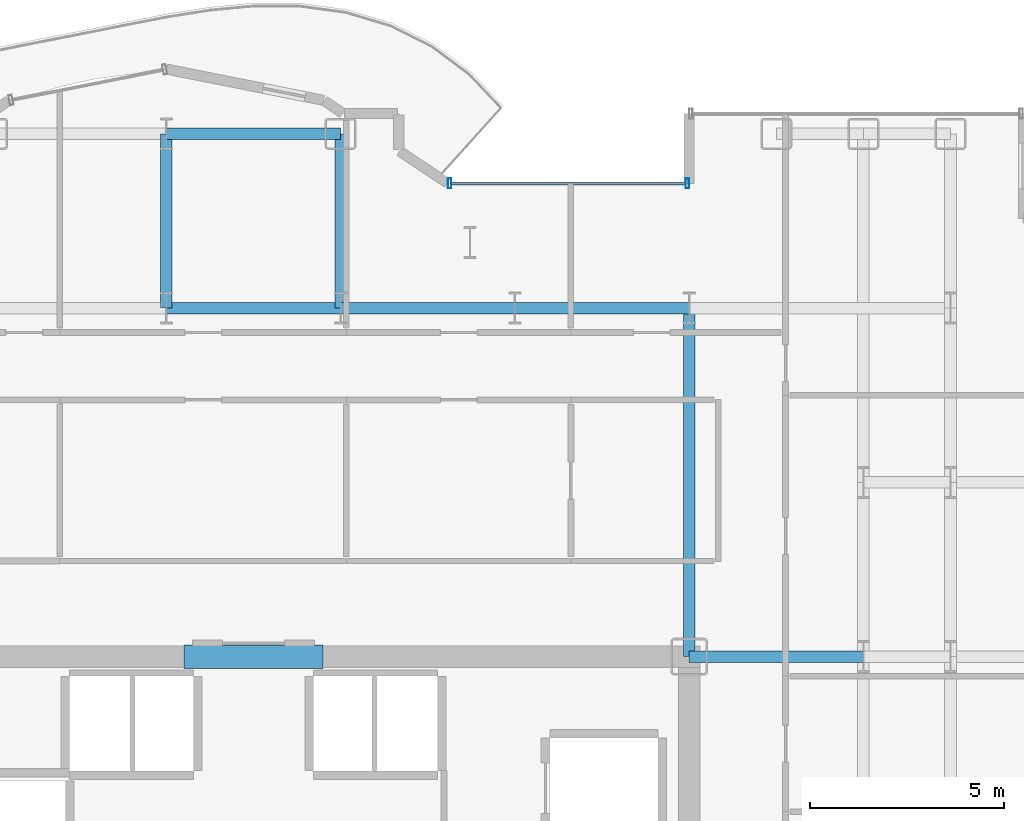
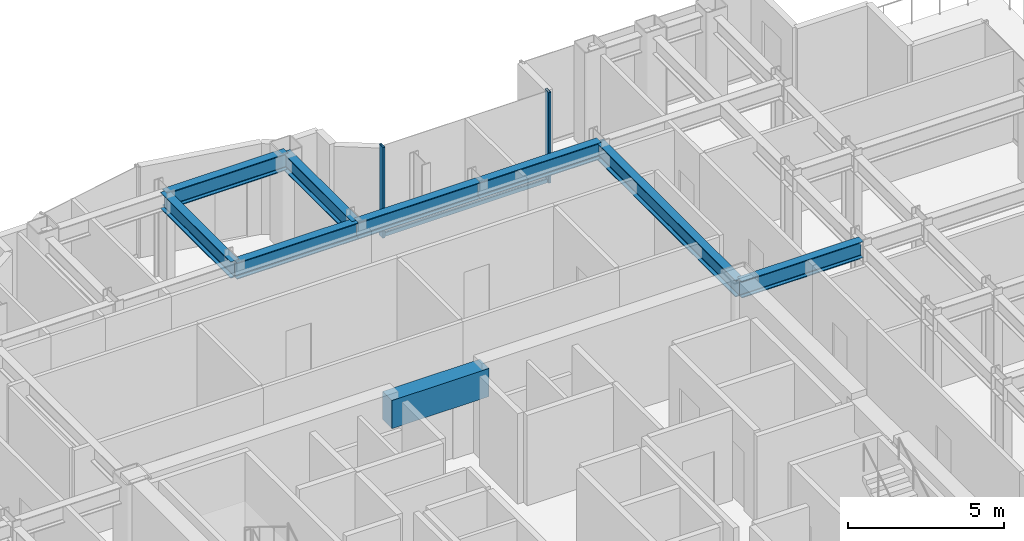
# One storey, part 15 of 27: 9 beams, 3 members, 1 element without a shape of its own.
"""IFC4 building model written with IfcOpenShell, lengths in metres."""

from ifc_helpers import new_model, si_unit, direction, frame, origin, origin_2d, place, context, subcontext, project, spatial, rectangle, hollow_rectangle, i_section, extrude, source, transform, mapped, material, layer, layer_set, material_profile, profile_set, type_object, element, aggregate, save


model = new_model("IFC4")

# Units and contexts
model_context = context("Model", 3, precision=1e-05, world=origin(), true_north=direction((0.0, 1.0)))
body_context = subcontext(model_context, "Body", "Model", "MODEL_VIEW")
ifc_project = project(units=[si_unit("LENGTHUNIT", "METRE"), si_unit("AREAUNIT", "SQUARE_METRE"), si_unit("VOLUMEUNIT", "CUBIC_METRE"), si_unit("PLANEANGLEUNIT", "RADIAN"), si_unit("MASSUNIT", "GRAM", prefix="KILO")], contexts=[model_context])

# Site, building, storey
site_placement = place(None, origin())
site = spatial("IfcSite", under=ifc_project, at=site_placement, CompositionType="ELEMENT")
building_placement = place(site_placement, origin())
building = spatial("IfcBuilding", under=site, at=building_placement, Name="Nefas-Gora Pilgrimage Tower", CompositionType="ELEMENT")
storey_placement = place(building_placement, frame((0.0, 0.0, 148.800048828125)))
storey = spatial("IfcBuildingStorey", under=building, at=storey_placement, Name="L36", CompositionType="ELEMENT", Elevation=148.800048828125)

# Beams
ifc_material_1 = material(Name="Concrete C60/75", Category="concrete")
ifc_material_profile_1 = material_profile(ifc_material_1, rectangle(XDim=0.60009765625, YDim=1.10009765625, at=origin_2d()), Name="RC 600x1100")
ifc_profile_set_1 = profile_set([ifc_material_profile_1], Name="Concrete C60/75")
beam_type_1 = type_object("IfcBeamType", Name="BM-LIN-RC1100", PredefinedType="LINTEL", material=ifc_profile_set_1)
shared_shape_1 = source(origin(), body_context, "Body", "SweptSolid", [
    extrude(rectangle(XDim=0.60009765625, YDim=1.10009765625, at=origin_2d()), origin(), (0.0, 0.0, 1.0), 3.60009765625),
])
beam_1_placement = place(storey_placement, frame((-1.800048828125, 9.0, 3.0), z_axis=(1.0, 0.0, 0.0), x_axis=(0.0, 1.0, 0.0)))
element("IfcBeam", 1, at=beam_1_placement, inside=storey, type_object=beam_type_1, Name="L36 Core Coupling Lintel Beam N", PredefinedType="LINTEL", context=body_context, shape_type="MappedRepresentation", body=[
    mapped(shared_shape_1, transform((0.0, 0.0, 0.0), x_axis=(1.0, 0.0, 0.0), y_axis=(0.0, 1.0, 0.0), z_axis=(0.0, 0.0, 1.0), scale=1.0)),
])
ifc_material_2 = material(Name="Steel S355", Category="steel")
ifc_material_profile_2 = material_profile(ifc_material_2, i_section(OverallWidth=0.300048828125, OverallDepth=0.64990234375, WebThickness=0.01611328125, FlangeThickness=0.031005859375, FilletRadius=0.027099609375, at=origin_2d()), Name="HEB 650")
ifc_profile_set_2 = profile_set([ifc_material_profile_2], Name="Steel S355")
beam_type_2 = type_object("IfcBeamType", Name="BM-GIR-HEB650", PredefinedType="BEAM", material=ifc_profile_set_2)
shared_shape_2 = source(origin(), body_context, "Body", "SweptSolid", [
    extrude(i_section(OverallWidth=0.300048828125, OverallDepth=0.64990234375, WebThickness=0.01611328125, FlangeThickness=0.031005859375, FilletRadius=0.027099609375, at=origin_2d()), origin(), (0.0, 0.0, 1.0), 9.0),
])
beam_2_placement = place(storey_placement, frame((11.25, 9.0, 3.224853515625), z_axis=(0.0, 1.0, 0.0), x_axis=(-1.0, 0.0, 0.0)))
element("IfcBeam", 2, at=beam_2_placement, inside=storey, type_object=beam_type_2, Name="L36 G-03 beam", PredefinedType="BEAM", context=body_context, shape_type="MappedRepresentation", body=[
    mapped(shared_shape_2, transform((0.0, 0.0, 0.0), x_axis=(1.0, 0.0, 0.0), y_axis=(0.0, 1.0, 0.0), z_axis=(0.0, 0.0, 1.0), scale=1.0)),
])
shared_shape_3 = source(origin(), body_context, "Body", "SweptSolid", [
    extrude(i_section(OverallWidth=0.300048828125, OverallDepth=0.64990234375, WebThickness=0.01611328125, FlangeThickness=0.031005859375, FilletRadius=0.027099609375, at=origin_2d()), origin(), (0.0, 0.0, 1.0), 4.5),
])
for number, where, z_axis, x_axis, name in (
    (3, (-2.25, 18.0, 3.224853515625), (0.0, 1.0, 0.0), (-1.0, 0.0, 0.0), "L36 G-03 beam"),
    (4, (-2.25, 18.0, 3.224853515625), (1.0, 0.0, 0.0), (0.0, 1.0, 0.0), "L36 G-03 beam"),
    (5, (-2.25, 22.5, 3.224853515625), (1.0, 0.0, 0.0), (0.0, 1.0, 0.0), "L36 G-03 beam"),
    (6, (2.25, 18.0, 3.224853515625), (0.0, 1.0, 0.0), (-1.0, 0.0, 0.0), "L36 G-03 beam"),
    (7, (2.25, 18.0, 3.224853515625), (1.0, 0.0, 0.0), (0.0, 1.0, 0.0), "L36 G-03 beam"),
    (8, (6.75, 18.0, 3.224853515625), (1.0, 0.0, 0.0), (0.0, 1.0, 0.0), "L36 G-03 beam"),
    (9, (11.25, 9.0, 3.224853515625), (1.0, 0.0, 0.0), (0.0, 1.0, 0.0), "L36 G-03 beam"),
):
    element("IfcBeam", number, at=place(storey_placement, frame(where, z_axis=z_axis, x_axis=x_axis)), inside=storey, type_object=beam_type_2, Name=name, PredefinedType="BEAM", context=body_context, shape_type="MappedRepresentation", body=[
        mapped(shared_shape_3, transform((0.0, 0.0, 0.0), x_axis=(1.0, 0.0, 0.0), y_axis=(0.0, 1.0, 0.0), z_axis=(0.0, 0.0, 1.0), scale=1.0)),
    ])

# Curtain wall, members
ifc_material_3 = material(Name="Dark ceramic-fritted solar-control aluminium-glass curtain wall", Category="aluminium")
ifc_layer = layer(ifc_material_3, 0.219970703125)
ifc_layer_set = layer_set([ifc_layer], Name="Dark ceramic-fritted solar-control aluminium-glass curtain wall")
curtain_wall_type = type_object("IfcCurtainWallType", Name="CW-SYS-5", PredefinedType="NOTDEFINED", material=ifc_layer_set)
curtain_wall_placement = place(storey_placement, origin())
curtain_wall = element("IfcCurtainWall", 10, at=curtain_wall_placement, inside=storey, type_object=curtain_wall_type, Name="L36 Unitised Curtain Wall CW5", PredefinedType="NOTDEFINED")
ifc_material_4 = material(Name="Anodised architectural aluminium", Category="aluminium")
ifc_material_profile_3 = material_profile(ifc_material_4, hollow_rectangle(XDim=0.090087890625, YDim=0.260009765625, WallThickness=0.006103515625, InnerFilletRadius=0.006103515625, OuterFilletRadius=0.011962890625, at=origin_2d()), Name="ALU MULLION 90x260")
ifc_profile_set_3 = profile_set([ifc_material_profile_3], Name="Anodised architectural aluminium")
member_type_1 = type_object("IfcMemberType", Name="CWM-MUL-5", PredefinedType="MULLION", material=ifc_profile_set_3)
shared_shape_4 = source(origin(), body_context, "Body", "SweptSolid", [
    extrude(hollow_rectangle(XDim=0.090087890625, YDim=0.260009765625, WallThickness=0.006103515625, InnerFilletRadius=0.006103515625, OuterFilletRadius=0.011962890625, at=origin_2d()), origin(), (0.0, 0.0, 1.0), 3.550048828125),
])
member_1_placement = place(storey_placement, frame((11.205078125, 21.219970703125, 0.0), z_axis=(0.0, 0.0, 1.0), x_axis=(-1.0, 0.0, 0.0)))
member_1 = element("IfcMember", 11, at=member_1_placement, type_object=member_type_1, Name="CW5 Mullion 1", PredefinedType="MULLION", context=body_context, shape_type="MappedRepresentation", body=[
    mapped(shared_shape_4, transform((0.0, 0.0, 0.0), x_axis=(1.0, 0.0, 0.0), y_axis=(0.0, 1.0, 0.0), z_axis=(0.0, 0.0, 1.0), scale=1.0)),
])
member_2_placement = place(storey_placement, frame((5.06298828125, 21.219970703125, 0.0), z_axis=(0.0, 0.0, 1.0), x_axis=(-1.0, 0.0, 0.0)))
member_2 = element("IfcMember", 12, at=member_2_placement, type_object=member_type_1, Name="CW5 Mullion 2", PredefinedType="MULLION", context=body_context, shape_type="MappedRepresentation", body=[
    mapped(shared_shape_4, transform((0.0, 0.0, 0.0), x_axis=(1.0, 0.0, 0.0), y_axis=(0.0, 1.0, 0.0), z_axis=(0.0, 0.0, 1.0), scale=1.0)),
])
ifc_material_profile_4 = material_profile(ifc_material_4, hollow_rectangle(XDim=0.080078125, YDim=0.159912109375, WallThickness=0.00439453125, InnerFilletRadius=0.00439453125, OuterFilletRadius=0.009033203125, at=origin_2d()), Name="ALU TRANSOM 80x160")
ifc_profile_set_4 = profile_set([ifc_material_profile_4], Name="Anodised architectural aluminium")
member_type_2 = type_object("IfcMemberType", Name="CWM-TRN-5", PredefinedType="USERDEFINED", material=ifc_profile_set_4)
shared_shape_5 = source(origin(), body_context, "Body", "SweptSolid", [
    extrude(hollow_rectangle(XDim=0.080078125, YDim=0.159912109375, WallThickness=0.00439453125, InnerFilletRadius=0.00439453125, OuterFilletRadius=0.009033203125, at=origin_2d()), origin(), (0.0, 0.0, 1.0), 6.052001953125),
])
member_3_placement = place(storey_placement, frame((11.159912109375, 21.219970703125, 0.050048828125), z_axis=(-1.0, 0.0, 0.0), x_axis=(0.0, -1.0, 0.0)))
member_3 = element("IfcMember", 13, at=member_3_placement, type_object=member_type_2, Name="CW5 Spandrel Transom", ObjectType="TRANSOM", PredefinedType="USERDEFINED", context=body_context, shape_type="MappedRepresentation", body=[
    mapped(shared_shape_5, transform((0.0, 0.0, 0.0), x_axis=(1.0, 0.0, 0.0), y_axis=(0.0, 1.0, 0.0), z_axis=(0.0, 0.0, 1.0), scale=1.0)),
])
aggregate(curtain_wall, [member_1, member_2, member_3])

save(model, "model.ifc")
